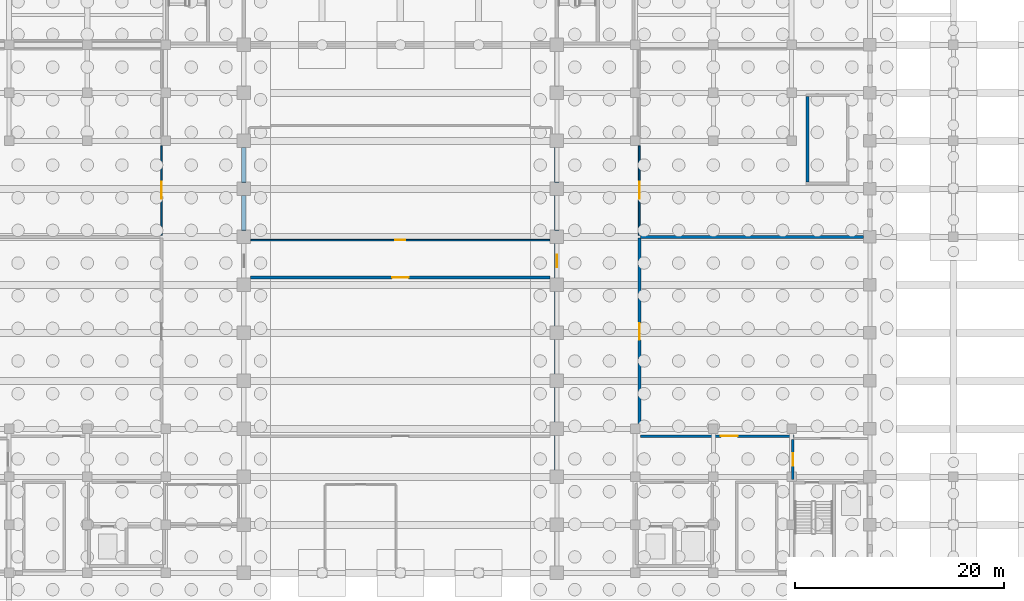
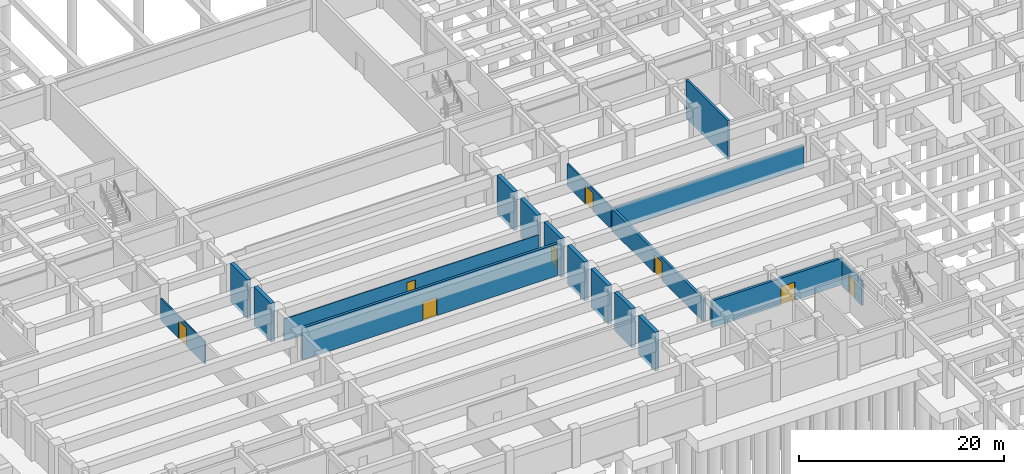
# One storey, part 23 of 32: 18 walls, 8 doors, 8 openings.
"""IFC4 building model written with IfcOpenShell, lengths in metres."""

from ifc_helpers import new_model, si_unit, direction, frame, frame_2d, origin, place, context, subcontext, project, spatial, rectangle, extrude, material, layer, layer_set, type_object, element, fill, save


model = new_model("IFC4")

# Units and contexts
model_context = context("Model", 3, precision=1e-05, world=origin(), true_north=direction((0.0, 1.0)))
body_context = subcontext(model_context, "Body", "Model", "MODEL_VIEW")
ifc_project = project(units=[si_unit("LENGTHUNIT", "METRE"), si_unit("AREAUNIT", "SQUARE_METRE"), si_unit("VOLUMEUNIT", "CUBIC_METRE"), si_unit("PLANEANGLEUNIT", "RADIAN"), si_unit("MASSUNIT", "GRAM", prefix="KILO")], contexts=[model_context])

# Site, building, storey
site_placement = place(None, origin())
site = spatial("IfcSite", under=ifc_project, at=site_placement, CompositionType="ELEMENT")
building_placement = place(site_placement, origin())
building = spatial("IfcBuilding", under=site, at=building_placement, Name="Muzn Square Opera House", CompositionType="ELEMENT")
storey_placement = place(building_placement, frame((0.0, 0.0, -4.199951171875)))
storey = spatial("IfcBuildingStorey", under=building, at=storey_placement, Name="B1", CompositionType="ELEMENT", Elevation=-4.199951171875)

# Walls
ifc_material_1 = material(Name="Concrete C45/55", Category="concrete")
ifc_layer_1 = layer(ifc_material_1, 0.419921875, Name="Concrete C45/55", Category="concrete")
ifc_layer_set_1 = layer_set([ifc_layer_1], Name="Concrete C45/55")
wall_type_1 = type_object("IfcWallType", Name="Auditorium Acoustic Shear Wall 420mm", PredefinedType="SHEAR", material=ifc_layer_set_1)
wall_1_placement = place(storey_placement, frame((103.0, 31.840087890625, -0.420166015625), z_axis=(0.0, 0.0, 1.0), x_axis=(0.0, 1.0, 0.0)))
element("IfcWall", 1, at=wall_1_placement, inside=storey, type_object=wall_type_1, Name="Auditorium Acoustic Shear Wall AUDW-B1-E02", PredefinedType="SHEAR", context=body_context, shape_type="SweptSolid", body=[
    extrude(rectangle(XDim=3.31982421875, YDim=0.419921875, at=frame_2d((1.659912109375, 0.0))), origin(), (0.0, 0.0, 1.0), 4.6201171875),
])
for number, where, z_axis, x_axis, name in (
    (2, (103.0, 36.43994140625, -0.420166015625), (0.0, 0.0, 1.0), (0.0, 1.0, 0.0), "Auditorium Acoustic Shear Wall AUDW-B1-E03"),
    (3, (103.0, 41.0400390625, -0.420166015625), (0.0, 0.0, 1.0), (0.0, 1.0, 0.0), "Auditorium Acoustic Shear Wall AUDW-B1-E04"),
    (4, (103.0, 45.639892578125, -0.420166015625), (0.0, 0.0, 1.0), (0.0, 1.0, 0.0), "Auditorium Acoustic Shear Wall AUDW-B1-E05"),
):
    element("IfcWall", number, at=place(storey_placement, frame(where, z_axis=z_axis, x_axis=x_axis)), inside=storey, type_object=wall_type_1, Name=name, PredefinedType="SHEAR", context=body_context, shape_type="SweptSolid", body=[
        extrude(rectangle(XDim=3.320068359375, YDim=0.419921875, at=frame_2d((1.66015625, 0.0))), origin(), (0.0, 0.0, 1.0), 4.6201171875),
    ])

# Wall, opening, door
wall_2_placement = place(storey_placement, frame((103.0, 50.239990234375, -0.420166015625), z_axis=(0.0, 0.0, 1.0), x_axis=(0.0, 1.0, 0.0)))
wall_2 = element("IfcWall", 5, at=wall_2_placement, inside=storey, type_object=wall_type_1, Name="Auditorium Acoustic Shear Wall AUDW-B1-E06", PredefinedType="SHEAR", context=body_context, shape_type="SweptSolid", body=[
    extrude(rectangle(XDim=3.320068359375, YDim=0.419921875, at=frame_2d((1.66015625, 0.0))), origin(), (0.0, 0.0, 1.0), 4.6201171875),
])
opening_1_placement = place(wall_2_placement, frame((2.260009765625, 0.0, 0.419921875), z_axis=(0.0, 0.0, 1.0), x_axis=(-1.0, 0.0, 0.0)))
opening_1 = element("IfcOpeningElement", 6, at=opening_1_placement, cuts=wall_2, Name="Opening DR-ST12", PredefinedType="OPENING", context=body_context, shape_type="SweptSolid", body=[
    extrude(rectangle(XDim=1.199951171875, YDim=2.14990234375, at=frame_2d((0.60009765625, 1.074951171875))), frame((0.0, 0.219970703125, 0.0), z_axis=(0.0, -1.0, 0.0), x_axis=(1.0, 0.0, 0.0)), (0.0, 0.0, 1.0), 0.43994140625),
])
ifc_material_2 = material(Name="Galvanised painted steel leaf", Category="metal")
door_type_1 = type_object("IfcDoorType", Name="Core Stair Fire Door 1200x2150", OperationType="NOTDEFINED", PredefinedType="DOOR", material=ifc_material_2)
door_1_placement = place(opening_1_placement, origin())
door_1 = element("IfcDoor", 7, at=door_1_placement, inside=storey, type_object=door_type_1, Name="Basement Mid Cross Corridor Fire Door E", OperationType="SINGLE_SWING_RIGHT", OverallHeight=2.14990234375, OverallWidth=1.199951171875, PredefinedType="DOOR", context=body_context, shape_type="SweptSolid", body=[
    extrude(rectangle(XDim=1.199951171875, YDim=2.14990234375, at=frame_2d((0.60009765625, 1.074951171875))), frame((0.0, 0.02490234375, 0.0), z_axis=(0.0, -1.0, 0.0), x_axis=(1.0, 0.0, 0.0)), (0.0, 0.0, 1.0), 0.050048828125),
])
fill(opening_1, door_1)

# Walls
for number, where, z_axis, x_axis, name in (
    (8, (73.0, 54.840087890625, -0.420166015625), (0.0, 0.0, 1.0), (0.0, 1.0, 0.0), "Auditorium Acoustic Shear Wall AUDW-B1-W07"),
    (9, (103.0, 54.840087890625, -0.420166015625), (0.0, 0.0, 1.0), (0.0, 1.0, 0.0), "Auditorium Acoustic Shear Wall AUDW-B1-E07"),
):
    element("IfcWall", number, at=place(storey_placement, frame(where, z_axis=z_axis, x_axis=x_axis)), inside=storey, type_object=wall_type_1, Name=name, PredefinedType="SHEAR", context=body_context, shape_type="SweptSolid", body=[
        extrude(rectangle(XDim=3.31982421875, YDim=0.419921875, at=frame_2d((1.659912109375, 0.0))), origin(), (0.0, 0.0, 1.0), 4.6201171875),
    ])
for number, where, z_axis, x_axis, name in (
    (10, (73.0, 59.43994140625, -0.420166015625), (0.0, 0.0, 1.0), (0.0, 1.0, 0.0), "Auditorium Acoustic Shear Wall AUDW-B1-W08"),
    (11, (103.0, 59.43994140625, -0.420166015625), (0.0, 0.0, 1.0), (0.0, 1.0, 0.0), "Auditorium Acoustic Shear Wall AUDW-B1-E08"),
):
    element("IfcWall", number, at=place(storey_placement, frame(where, z_axis=z_axis, x_axis=x_axis)), inside=storey, type_object=wall_type_1, Name=name, PredefinedType="SHEAR", context=body_context, shape_type="SweptSolid", body=[
        extrude(rectangle(XDim=3.320068359375, YDim=0.419921875, at=frame_2d((1.66015625, 0.0))), origin(), (0.0, 0.0, 1.0), 4.6201171875),
    ])
ifc_layer_2 = layer(ifc_material_1, 0.300048828125, Name="Concrete C45/55", Category="concrete")
ifc_layer_set_2 = layer_set([ifc_layer_2], Name="Concrete C45/55")
wall_type_2 = type_object("IfcWallType", Name="Core Shear Wall 300mm", PredefinedType="SHEAR", material=ifc_layer_set_2)
wall_3_placement = place(storey_placement, frame((127.02490234375, 59.449951171875, -0.420166015625), z_axis=(0.0, 0.0, 1.0), x_axis=(0.0, 1.0, 0.0)))
element("IfcWall", 12, at=wall_3_placement, inside=storey, type_object=wall_type_2, Name="Escape Stair ST-10 Substructure Wall W", PredefinedType="SHEAR", context=body_context, shape_type="SweptSolid", body=[
    extrude(rectangle(XDim=8.199951171875, YDim=0.25, at=frame_2d((4.10009765625, 0.0))), origin(), (0.0, 0.0, 1.0), 4.6201171875),
])

# Wall, opening, door
ifc_material_3 = material(Name="Concrete C40/50", Category="concrete")
ifc_layer_3 = layer(ifc_material_3, 0.219970703125, Name="Concrete C40/50", Category="concrete")
ifc_layer_set_3 = layer_set([ifc_layer_3], Name="Concrete C40/50")
wall_type_3 = type_object("IfcWallType", Name="Lift Lobby Wall 220mm", PredefinedType="SOLIDWALL", material=ifc_layer_set_3)
wall_4_placement = place(storey_placement, frame((125.610107421875, 30.949951171875, 0.0), z_axis=(0.0, 0.0, 1.0), x_axis=(0.0, 1.0, 0.0)))
wall_4 = element("IfcWall", 13, at=wall_4_placement, inside=storey, type_object=wall_type_3, Name="Lobby C4 Side Wall W B1", PredefinedType="SOLIDWALL", context=body_context, shape_type="SweptSolid", body=[
    extrude(rectangle(XDim=3.830078125, YDim=0.219970703125, at=frame_2d((1.9150390625, 0.0))), origin(), (0.0, 0.0, 1.0), 2.9599609375),
])
opening_2_placement = place(wall_4_placement, frame((1.31494140625, 0.0, 0.0)))
opening_2 = element("IfcOpeningElement", 14, at=opening_2_placement, cuts=wall_4, Name="Opening DR-ST12", PredefinedType="OPENING", context=body_context, shape_type="SweptSolid", body=[
    extrude(rectangle(XDim=1.199951171875, YDim=2.14990234375, at=frame_2d((0.60009765625, 1.074951171875))), frame((0.0, 0.119873046875, 0.0), z_axis=(0.0, -1.0, 0.0), x_axis=(1.0, 0.0, 0.0)), (0.0, 0.0, 1.0), 0.239990234375),
])
door_2_placement = place(opening_2_placement, origin())
door_2 = element("IfcDoor", 15, at=door_2_placement, inside=storey, type_object=door_type_1, Name="Lobby C4 Side Door W B1", OperationType="SINGLE_SWING_RIGHT", OverallHeight=2.14990234375, OverallWidth=1.199951171875, PredefinedType="DOOR", context=body_context, shape_type="SweptSolid", body=[
    extrude(rectangle(XDim=1.199951171875, YDim=2.14990234375, at=frame_2d((0.60009765625, 1.074951171875))), frame((0.0, 0.02490234375, 0.0), z_axis=(0.0, -1.0, 0.0), x_axis=(1.0, 0.0, 0.0)), (0.0, 0.0, 1.0), 0.050048828125),
])
fill(opening_2, door_2)

ifc_material_4 = material(Name="Acoustic gypsum stud partition", Category="gypsum")
ifc_layer_4 = layer(ifc_material_4, 0.14990234375, Name="Acoustic gypsum stud partition", Category="gypsum")
ifc_layer_set_4 = layer_set([ifc_layer_4], Name="Acoustic gypsum stud partition")
wall_type_4 = type_object("IfcWallType", Name="Office Acoustic Partition 150mm", PredefinedType="PARTITIONING", material=ifc_layer_set_4)
wall_5_placement = place(storey_placement, frame((73.669921875, 53.89990234375, 0.0), z_axis=(0.0, 0.0, 1.0), x_axis=(1.0, 0.0, 0.0)))
wall_5 = element("IfcWall", 16, at=wall_5_placement, inside=storey, type_object=wall_type_4, Name="Interior Partition PW-B1-0002", PredefinedType="PARTITIONING", context=body_context, shape_type="SweptSolid", body=[
    extrude(rectangle(XDim=28.66015625, YDim=0.14990234375, at=frame_2d((14.330078125, 0.0))), origin(), (0.0, 0.0, 1.0), 2.659912109375),
])
opening_3_placement = place(wall_5_placement, frame((13.85498046875, 0.0, 0.0)))
opening_3 = element("IfcOpeningElement", 17, at=opening_3_placement, cuts=wall_5, Name="Opening DR-OF95", PredefinedType="OPENING", context=body_context, shape_type="SweptSolid", body=[
    extrude(rectangle(XDim=0.949951171875, YDim=2.14990234375, at=frame_2d((0.47509765625, 1.074951171875))), frame((0.0, 0.0849609375, 0.0), z_axis=(0.0, -1.0, 0.0), x_axis=(1.0, 0.0, 0.0)), (0.0, 0.0, 1.0), 0.169921875),
])
ifc_material_5 = material(Name="Acoustic hardwood leaf", Category="wood")
door_type_2 = type_object("IfcDoorType", Name="Office Room Door 950x2150", OperationType="NOTDEFINED", PredefinedType="DOOR", material=ifc_material_5)
door_3_placement = place(opening_3_placement, origin())
door_3 = element("IfcDoor", 18, at=door_3_placement, inside=storey, type_object=door_type_2, Name="Musicians Warm-Up and Tuning Room Door DR-B1-0001", OperationType="SINGLE_SWING_RIGHT", OverallHeight=2.14990234375, OverallWidth=0.949951171875, PredefinedType="DOOR", context=body_context, shape_type="SweptSolid", body=[
    extrude(rectangle(XDim=0.949951171875, YDim=2.14990234375, at=frame_2d((0.47509765625, 1.074951171875))), frame((0.0, 0.02490234375, 0.0), z_axis=(0.0, -1.0, 0.0), x_axis=(1.0, 0.0, 0.0)), (0.0, 0.0, 1.0), 0.050048828125),
])
fill(opening_3, door_3)

# Wall
ifc_layer_5 = layer(ifc_material_3, 0.280029296875, Name="Concrete C40/50", Category="concrete")
ifc_layer_set_5 = layer_set([ifc_layer_5], Name="Concrete C40/50")
wall_type_5 = type_object("IfcWallType", Name="Plant Enclosure Wall 280mm", PredefinedType="SOLIDWALL", material=ifc_layer_set_5)
wall_6_placement = place(storey_placement, frame((111.02490234375, 54.199951171875, 0.0), z_axis=(0.0, 0.0, 1.0), x_axis=(1.0, 0.0, 0.0)))
element("IfcWall", 19, at=wall_6_placement, inside=storey, type_object=wall_type_5, Name="Interior Partition PW-B1-0006", PredefinedType="SOLIDWALL", context=body_context, shape_type="SweptSolid", body=[
    extrude(rectangle(XDim=21.35498046875, YDim=0.280029296875, at=frame_2d((10.677490234375, 0.0))), origin(), (0.0, 0.0, 1.0), 2.659912109375),
])

# Wall, opening, door
wall_7_placement = place(storey_placement, frame((111.0, 35.10009765625, 0.0), z_axis=(0.0, 0.0, 1.0), x_axis=(1.0, 0.0, 0.0)))
wall_7 = element("IfcWall", 20, at=wall_7_placement, inside=storey, type_object=wall_type_5, Name="Interior Partition PW-B1-0007", PredefinedType="SOLIDWALL", context=body_context, shape_type="SweptSolid", body=[
    extrude(rectangle(XDim=14.715087890625, YDim=0.280029296875, at=frame_2d((7.357421875, 0.0))), origin(), (0.0, 0.0, 1.0), 3.159912109375),
])
opening_4_placement = place(wall_7_placement, frame((7.72509765625, 0.0, 0.0)))
opening_4 = element("IfcOpeningElement", 21, at=opening_4_placement, cuts=wall_7, Name="Opening DR-PL16", PredefinedType="OPENING", context=body_context, shape_type="SweptSolid", body=[
    extrude(rectangle(XDim=1.60009765625, YDim=2.179931640625, at=frame_2d((0.800048828125, 1.08984375))), frame((0.0, 0.14990234375, 0.0), z_axis=(0.0, -1.0, 0.0), x_axis=(1.0, 0.0, 0.0)), (0.0, 0.0, 1.0), 0.300048828125),
])
door_type_3 = type_object("IfcDoorType", Name="Plant Room Double Door 1600x2180", OperationType="DOUBLE_DOOR_SINGLE_SWING", PredefinedType="DOOR", material=ifc_material_2)
door_4_placement = place(opening_4_placement, origin())
door_4 = element("IfcDoor", 22, at=door_4_placement, inside=storey, type_object=door_type_3, Name="Chiller and Acoustic AHU Plant Door DR-B1-0004", OperationType="DOUBLE_DOOR_SINGLE_SWING", OverallHeight=2.179931640625, OverallWidth=1.60009765625, PredefinedType="DOOR", context=body_context, shape_type="SweptSolid", body=[
    extrude(rectangle(XDim=1.60009765625, YDim=2.179931640625, at=frame_2d((0.800048828125, 1.08984375))), frame((0.0, 0.02490234375, 0.0), z_axis=(0.0, -1.0, 0.0), x_axis=(1.0, 0.0, 0.0)), (0.0, 0.0, 1.0), 0.050048828125),
])
fill(opening_4, door_4)

wall_8_placement = place(storey_placement, frame((110.89990234375, 36.27001953125, 0.0), z_axis=(0.0, 0.0, 1.0), x_axis=(0.0, 1.0, 0.0)))
wall_8 = element("IfcWall", 23, at=wall_8_placement, inside=storey, type_object=wall_type_5, Name="Interior Partition PW-B1-0008", PredefinedType="SOLIDWALL", context=body_context, shape_type="SweptSolid", body=[
    extrude(rectangle(XDim=17.804931640625, YDim=0.280029296875, at=frame_2d((8.90234375, 0.0))), origin(), (0.0, 0.0, 1.0), 2.659912109375),
])
opening_5_placement = place(wall_8_placement, frame((8.06494140625, 0.0, 0.0)))
opening_5 = element("IfcOpeningElement", 24, at=opening_5_placement, cuts=wall_8, Name="Opening DR-PL16", PredefinedType="OPENING", context=body_context, shape_type="SweptSolid", body=[
    extrude(rectangle(XDim=1.60009765625, YDim=2.179931640625, at=frame_2d((0.800048828125, 1.08984375))), frame((0.0, 0.14990234375, 0.0), z_axis=(0.0, -1.0, 0.0), x_axis=(1.0, 0.0, 0.0)), (0.0, 0.0, 1.0), 0.300048828125),
])
door_5_placement = place(opening_5_placement, origin())
door_5 = element("IfcDoor", 25, at=door_5_placement, inside=storey, type_object=door_type_3, Name="Chiller and Acoustic AHU Plant Door DR-B1-0005", OperationType="DOUBLE_DOOR_SINGLE_SWING", OverallHeight=2.179931640625, OverallWidth=1.60009765625, PredefinedType="DOOR", context=body_context, shape_type="SweptSolid", body=[
    extrude(rectangle(XDim=1.60009765625, YDim=2.179931640625, at=frame_2d((0.800048828125, 1.08984375))), frame((0.0, 0.02490234375, 0.0), z_axis=(0.0, -1.0, 0.0), x_axis=(1.0, 0.0, 0.0)), (0.0, 0.0, 1.0), 0.050048828125),
])
fill(opening_5, door_5)

wall_9_placement = place(storey_placement, frame((73.655029296875, 50.300048828125, 0.0), z_axis=(0.0, 0.0, 1.0), x_axis=(1.0, 0.0, 0.0)))
wall_9 = element("IfcWall", 26, at=wall_9_placement, inside=storey, type_object=wall_type_5, Name="Interior Partition PW-B1-0010", PredefinedType="SOLIDWALL", context=body_context, shape_type="SweptSolid", body=[
    extrude(rectangle(XDim=28.68994140625, YDim=0.280029296875, at=frame_2d((14.344970703125, 0.0))), origin(), (0.0, 0.0, 1.0), 3.820068359375),
])
opening_6_placement = place(wall_9_placement, frame((13.544921875, 0.0, 0.0)))
opening_6 = element("IfcOpeningElement", 27, at=opening_6_placement, cuts=wall_9, Name="Opening DR-PL16", PredefinedType="OPENING", context=body_context, shape_type="SweptSolid", body=[
    extrude(rectangle(XDim=1.60009765625, YDim=2.179931640625, at=frame_2d((0.800048828125, 1.08984375))), frame((0.0, 0.14990234375, 0.0), z_axis=(0.0, -1.0, 0.0), x_axis=(1.0, 0.0, 0.0)), (0.0, 0.0, 1.0), 0.300048828125),
])
door_6_placement = place(opening_6_placement, origin())
door_6 = element("IfcDoor", 28, at=door_6_placement, inside=storey, type_object=door_type_3, Name="Acoustic Plenum and Pump Plant Door DR-B1-0007", OperationType="DOUBLE_DOOR_SINGLE_SWING", OverallHeight=2.179931640625, OverallWidth=1.60009765625, PredefinedType="DOOR", context=body_context, shape_type="SweptSolid", body=[
    extrude(rectangle(XDim=1.60009765625, YDim=2.179931640625, at=frame_2d((0.800048828125, 1.08984375))), frame((0.0, 0.02490234375, 0.0), z_axis=(0.0, -1.0, 0.0), x_axis=(1.0, 0.0, 0.0)), (0.0, 0.0, 1.0), 0.050048828125),
])
fill(opening_6, door_6)

ifc_layer_6 = layer(ifc_material_4, 0.159912109375, Name="Acoustic gypsum stud partition", Category="gypsum")
ifc_layer_set_6 = layer_set([ifc_layer_6], Name="Acoustic gypsum stud partition")
wall_type_6 = type_object("IfcWallType", Name="Workshop Rated Partition 160mm", PredefinedType="PARTITIONING", material=ifc_layer_set_6)
wall_10_placement = place(storey_placement, frame((65.10009765625, 54.344970703125, 0.0), z_axis=(0.0, 0.0, 1.0), x_axis=(0.0, 1.0, 0.0)))
wall_10 = element("IfcWall", 29, at=wall_10_placement, inside=storey, type_object=wall_type_6, Name="Interior Partition PW-B1-0011", PredefinedType="PARTITIONING", context=body_context, shape_type="SweptSolid", body=[
    extrude(rectangle(XDim=8.5849609375, YDim=0.159912109375, at=frame_2d((4.29248046875, 0.0))), origin(), (0.0, 0.0, 1.0), 2.659912109375),
])
opening_7_placement = place(wall_10_placement, frame((3.52001953125, 0.0, 0.0)))
opening_7 = element("IfcOpeningElement", 30, at=opening_7_placement, cuts=wall_10, Name="Opening DR-PL16", PredefinedType="OPENING", context=body_context, shape_type="SweptSolid", body=[
    extrude(rectangle(XDim=1.60009765625, YDim=2.179931640625, at=frame_2d((0.800048828125, 1.08984375))), frame((0.0, 0.08984375, 0.0), z_axis=(0.0, -1.0, 0.0), x_axis=(1.0, 0.0, 0.0)), (0.0, 0.0, 1.0), 0.179931640625),
])
door_7_placement = place(opening_7_placement, origin())
door_7 = element("IfcDoor", 31, at=door_7_placement, inside=storey, type_object=door_type_3, Name="Orchestra Instrument Vault Door DR-B1-0008", OperationType="DOUBLE_DOOR_SINGLE_SWING", OverallHeight=2.179931640625, OverallWidth=1.60009765625, PredefinedType="DOOR", context=body_context, shape_type="SweptSolid", body=[
    extrude(rectangle(XDim=1.60009765625, YDim=2.179931640625, at=frame_2d((0.800048828125, 1.08984375))), frame((0.0, 0.02490234375, 0.0), z_axis=(0.0, -1.0, 0.0), x_axis=(1.0, 0.0, 0.0)), (0.0, 0.0, 1.0), 0.050048828125),
])
fill(opening_7, door_7)

wall_11_placement = place(storey_placement, frame((110.89990234375, 54.344970703125, 0.0), z_axis=(0.0, 0.0, 1.0), x_axis=(0.0, 1.0, 0.0)))
wall_11 = element("IfcWall", 32, at=wall_11_placement, inside=storey, type_object=wall_type_6, Name="Interior Partition PW-B1-0014", PredefinedType="PARTITIONING", context=body_context, shape_type="SweptSolid", body=[
    extrude(rectangle(XDim=8.5849609375, YDim=0.159912109375, at=frame_2d((4.29248046875, 0.0))), origin(), (0.0, 0.0, 1.0), 2.659912109375),
])
opening_8_placement = place(wall_11_placement, frame((3.52001953125, 0.0, 0.0)))
opening_8 = element("IfcOpeningElement", 33, at=opening_8_placement, cuts=wall_11, Name="Opening DR-PL16", PredefinedType="OPENING", context=body_context, shape_type="SweptSolid", body=[
    extrude(rectangle(XDim=1.60009765625, YDim=2.179931640625, at=frame_2d((0.800048828125, 1.08984375))), frame((0.0, 0.08984375, 0.0), z_axis=(0.0, -1.0, 0.0), x_axis=(1.0, 0.0, 0.0)), (0.0, 0.0, 1.0), 0.179931640625),
])
door_8_placement = place(opening_8_placement, origin())
door_8 = element("IfcDoor", 34, at=door_8_placement, inside=storey, type_object=door_type_3, Name="Principal Wardrobe and Costume Vault Door DR-B1-0009", OperationType="DOUBLE_DOOR_SINGLE_SWING", OverallHeight=2.179931640625, OverallWidth=1.60009765625, PredefinedType="DOOR", context=body_context, shape_type="SweptSolid", body=[
    extrude(rectangle(XDim=1.60009765625, YDim=2.179931640625, at=frame_2d((0.800048828125, 1.08984375))), frame((0.0, 0.02490234375, 0.0), z_axis=(0.0, -1.0, 0.0), x_axis=(1.0, 0.0, 0.0)), (0.0, 0.0, 1.0), 0.050048828125),
])
fill(opening_8, door_8)

save(model, "model.ifc")
